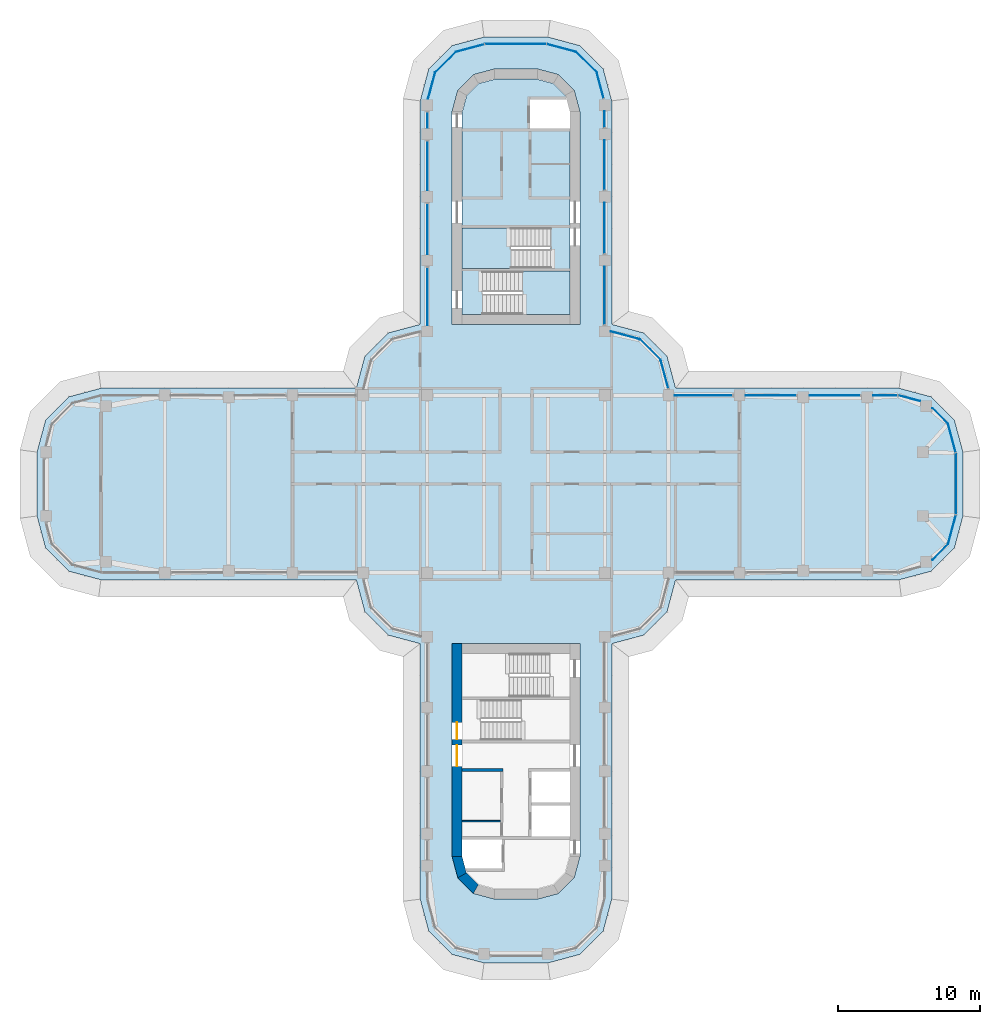
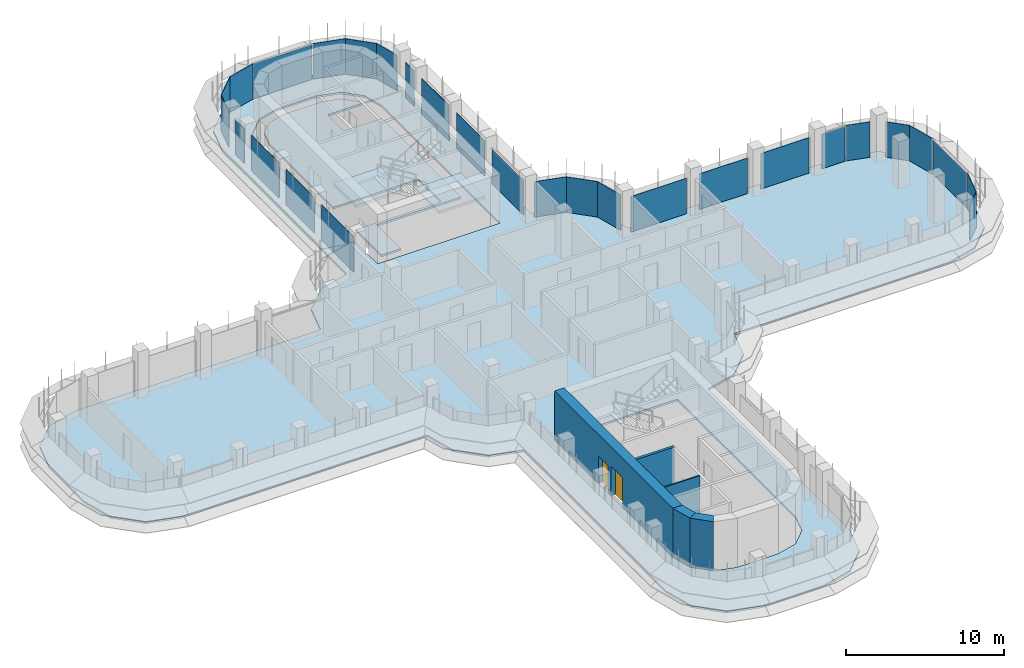
# One storey, part 13 of 20: 28 plates, 5 walls, 4 slabs, 2 doors, 2 openings, 21 elements without a shape of their own.
"""IFC4 building model written with IfcOpenShell, lengths in metres."""

from ifc_helpers import new_model, si_unit, direction, frame, frame_2d, origin, place, context, subcontext, project, spatial, polyline, rectangle, outline, extrude, source, transform, mapped, material, layer, layer_set, type_object, element, fill, aggregate, save


model = new_model("IFC4")

# Units and contexts
model_context = context("Model", 3, precision=1e-05, world=origin(), true_north=direction((0.0, 1.0)))
body_context = subcontext(model_context, "Body", "Model", "MODEL_VIEW")
ifc_project = project(units=[si_unit("LENGTHUNIT", "METRE"), si_unit("AREAUNIT", "SQUARE_METRE"), si_unit("VOLUMEUNIT", "CUBIC_METRE"), si_unit("PLANEANGLEUNIT", "RADIAN"), si_unit("MASSUNIT", "GRAM", prefix="KILO")], contexts=[model_context])

# Site, building, storey
site_placement = place(None, origin())
site = spatial("IfcSite", under=ifc_project, at=site_placement, CompositionType="ELEMENT")
building_placement = place(site_placement, origin())
building = spatial("IfcBuilding", under=site, at=building_placement, Name="Zarbagh Exchange Tower", CompositionType="ELEMENT")
storey_placement = place(building_placement, frame((0.0, 0.0, 148.60009765625)))
storey = spatial("IfcBuildingStorey", under=building, at=storey_placement, Name="L35", CompositionType="ELEMENT", Elevation=148.60009765625)

# Slabs
ifc_material_1 = material(Name="Concrete C40/50", Category="concrete")
ifc_layer_1 = layer(ifc_material_1, 0.14990234375)
ifc_layer_set_1 = layer_set([ifc_layer_1], Name="Composite floor slab 150 C40/50")
slab_type_1 = type_object("IfcSlabType", Name="Composite floor slab 150 C40/50", PredefinedType="FLOOR", material=ifc_layer_set_1)
slab_1_placement = place(storey_placement, frame((0.0, 0.0, -0.150146484375)))
element("IfcSlab", 1, at=slab_1_placement, inside=storey, type_object=slab_type_1, Name="S5 composite floor slab", PredefinedType="FLOOR", context=body_context, shape_type="SweptSolid", body=[
    extrude(outline(polyline([(-2.25, -33.75), (-4.5, -33.147216796875), (-6.147216796875, -31.5), (-6.75, -29.25), (-6.75, -11.25), (-9.0, -10.647216796875), (-10.647216796875, -9.0), (-11.25, -6.75), (-29.25, -6.75), (-31.5, -6.147216796875), (-33.147216796875, -4.5), (-33.75, -2.25), (-33.75, 2.25), (-33.147216796875, 4.5), (-31.5, 6.147216796875), (-29.25, 6.75), (-11.25, 6.75), (-10.647216796875, 9.0), (-9.0, 10.647216796875), (-6.75, 11.25), (-6.75, 27.0), (-6.147216796875, 29.25), (-4.5, 30.897216796875), (-2.25, 31.5), (2.25, 31.5), (4.5, 30.897216796875), (6.147216796875, 29.25), (6.75, 27.0), (6.75, 11.25), (9.0, 10.647216796875), (10.647216796875, 9.0), (11.25, 6.75), (27.0, 6.75), (29.25, 6.147216796875), (30.897216796875, 4.5), (31.5, 2.25), (31.5, -2.25), (30.897216796875, -4.5), (29.25, -6.147216796875), (27.0, -6.75), (11.25, -6.75), (10.647216796875, -9.0), (9.0, -10.647216796875), (6.75, -11.25), (6.75, -29.25), (6.147216796875, -31.5), (4.5, -33.147216796875), (2.25, -33.75), (-2.25, -33.75)]), holes=[polyline([(4.5, 11.25), (4.5, 26.25), (4.09814453125, 27.75), (3.0, 28.84814453125), (1.5, 29.25), (-1.5, 29.25), (-3.0, 28.84814453125), (-4.09814453125, 27.75), (-4.5, 26.25), (-4.5, 11.25), (4.5, 11.25)]), polyline([(-1.5, -29.25), (1.5, -29.25), (3.0, -28.84814453125), (4.09814453125, -27.75), (4.5, -26.25), (4.5, -11.25), (-4.5, -11.25), (-4.5, -26.25), (-4.09814453125, -27.75), (-3.0, -28.84814453125), (-1.5, -29.25)])]), origin(), (0.0, 0.0, 1.0), 0.150146484375),
])
ifc_layer_2 = layer(ifc_material_1, 0.14990234375)
ifc_layer_set_2 = layer_set([ifc_layer_2], Name="Core floor slab 150 C40/50")
slab_type_2 = type_object("IfcSlabType", Name="Core floor slab 150 C40/50", PredefinedType="FLOOR", material=ifc_layer_set_2)
slab_2_placement = place(storey_placement, frame((0.0, 0.0, -0.150146484375)))
element("IfcSlab", 2, at=slab_2_placement, inside=storey, type_object=slab_type_2, Name="S17 core N", PredefinedType="FLOOR", context=body_context, shape_type="SweptSolid", body=[
    extrude(outline(polyline([(-3.800048828125, 11.949951171875), (-3.800048828125, 15.199951171875), (2.449951171875, 15.199951171875), (2.449951171875, 18.050048828125), (-3.800048828125, 18.050048828125), (-3.800048828125, 26.15771484375), (-3.470458984375, 27.3876953125), (-2.6376953125, 28.220458984375), (-1.40771484375, 28.550048828125), (1.40771484375, 28.550048828125), (2.6376953125, 28.220458984375), (3.470458984375, 27.3876953125), (3.800048828125, 26.15771484375), (3.800048828125, 26.15771484375), (3.547607421875, 27.10009765625), (1.0, 27.10009765625), (1.0, 25.050048828125), (3.800048828125, 25.050048828125), (3.800048828125, 15.0), (-2.35009765625, 15.0), (-2.35009765625, 11.949951171875), (-3.800048828125, 11.949951171875)])), origin(), (0.0, 0.0, 1.0), 0.150146484375),
])

# Stair, slab
stair_type = type_object("IfcStairType", Name="Exit stair two-flight half-turn", PredefinedType="HALF_TURN_STAIR", material=ifc_material_1)
stair_1_placement = place(storey_placement, origin())
stair_1 = element("IfcStair", 3, at=stair_1_placement, inside=storey, type_object=stair_type, Name="exit stair ST1", PredefinedType="HALF_TURN_STAIR")
ifc_layer_3 = layer(ifc_material_1, 0.199951171875)
ifc_layer_set_3 = layer_set([ifc_layer_3], Name="Stair landing 200 mm")
slab_type_3 = type_object("IfcSlabType", Name="Stair landing 200 mm", PredefinedType="LANDING", material=ifc_layer_set_3)
slab_3_placement = place(storey_placement, frame((0.0, 0.0, 1.699951171875)))
slab_3 = element("IfcSlab", 4, at=slab_3_placement, type_object=slab_type_3, Name="ST1 landing 1", PredefinedType="LANDING", context=body_context, shape_type="SweptSolid", body=[
    extrude(outline(polyline([(-0.35009765625, 18.050048828125), (-3.800048828125, 18.050048828125), (-3.800048828125, 15.199951171875), (-0.35009765625, 15.199951171875), (-0.35009765625, 18.050048828125)])), origin(), (0.0, 0.0, 1.0), 0.199951171875),
])
aggregate(stair_1, [slab_3])

stair_2_placement = place(storey_placement, origin())
stair_2 = element("IfcStair", 5, at=stair_2_placement, inside=storey, type_object=stair_type, Name="exit stair ST2", PredefinedType="HALF_TURN_STAIR")
slab_4_placement = place(storey_placement, frame((0.0, 0.0, 1.699951171875)))
slab_4 = element("IfcSlab", 6, at=slab_4_placement, type_object=slab_type_3, Name="ST2 landing 1", PredefinedType="LANDING", context=body_context, shape_type="SweptSolid", body=[
    extrude(outline(polyline([(0.449951171875, 11.949951171875), (3.800048828125, 11.949951171875), (3.800048828125, 15.0), (0.449951171875, 15.0), (0.449951171875, 11.949951171875)])), origin(), (0.0, 0.0, 1.0), 0.199951171875),
])
aggregate(stair_2, [slab_4])

# Curtain wall, plate
ifc_material_2 = material(Name="Anodised aluminium frame and glazing", Category="aluminium")
curtain_wall_type = type_object("IfcCurtainWallType", Name="CWB Ribbon glazing, upper zones", PredefinedType="NOTDEFINED", material=ifc_material_2)
curtain_wall_1_placement = place(storey_placement, origin())
curtain_wall_1 = element("IfcCurtainWall", 7, at=curtain_wall_1_placement, inside=storey, type_object=curtain_wall_type, Name="CWB18 curtain wall", PredefinedType="NOTDEFINED")
ifc_material_3 = material(Name="Low-e double glazed unit, 6+12+6 mm")
ifc_layer_4 = layer(ifc_material_3, 0.031982421875)
ifc_layer_set_4 = layer_set([ifc_layer_4], Name="PAB Glazing panel, Low-e double glazed unit, 6+12+6 mm")
plate_type = type_object("IfcPlateType", Name="PAB Glazing panel, Low-e double glazed unit, 6+12+6 mm", PredefinedType="CURTAIN_PANEL", material=ifc_layer_set_4)
shared_shape_1 = source(origin(), body_context, "Body", "SweptSolid", [
    extrude(outline(polyline([(0.0, -0.01611328125), (2.061279296875, -0.01611328125), (2.061279296875, 0.01611328125), (0.0, 0.01611328125), (0.0, -0.01611328125)])), origin(), (0.0, 0.0, 1.0), 2.75),
])
placement = place(storey_placement, origin())
plate_1 = element("IfcPlate", 8, at=placement, type_object=plate_type, Name="CWB18 glazing panel 1.1", PredefinedType="CURTAIN_PANEL", context=body_context, shape_type="MappedRepresentation", body=[
    mapped(shared_shape_1, transform((10.19873046875, 8.7412109375, 0.0), x_axis=(-0.707106781187, 0.707106781187, 0.0), y_axis=(-0.707106781187, -0.707106781187, 0.0), z_axis=(0.0, 0.0, 1.0))),
])
aggregate(curtain_wall_1, [plate_1])

curtain_wall_2_placement = place(storey_placement, origin())
curtain_wall_2 = element("IfcCurtainWall", 9, at=curtain_wall_2_placement, inside=storey, type_object=curtain_wall_type, Name="CWB22 curtain wall", PredefinedType="NOTDEFINED")
plate_2 = element("IfcPlate", 10, at=placement, type_object=plate_type, Name="CWB22 glazing panel 1.1", PredefinedType="CURTAIN_PANEL", context=body_context, shape_type="MappedRepresentation", body=[
    mapped(shared_shape_1, transform((5.69873046875, 28.9912109375, 0.0), x_axis=(-0.707106781187, 0.707106781187, 0.0), y_axis=(-0.707106781187, -0.707106781187, 0.0), z_axis=(0.0, 0.0, 1.0))),
])
aggregate(curtain_wall_2, [plate_2])

curtain_wall_3_placement = place(storey_placement, origin())
curtain_wall_3 = element("IfcCurtainWall", 11, at=curtain_wall_3_placement, inside=storey, type_object=curtain_wall_type, Name="CWB26 curtain wall", PredefinedType="NOTDEFINED")
plate_3 = element("IfcPlate", 12, at=placement, type_object=plate_type, Name="CWB26 glazing panel 1.1", PredefinedType="CURTAIN_PANEL", context=body_context, shape_type="MappedRepresentation", body=[
    mapped(shared_shape_1, transform((-4.2412109375, 30.44873046875, 0.0), x_axis=(-0.707106781187, -0.707106781187, 0.0), y_axis=(0.707106781187, -0.707106781187, 0.0), z_axis=(0.0, 0.0, 1.0))),
])
aggregate(curtain_wall_3, [plate_3])

curtain_wall_4_placement = place(storey_placement, origin())
curtain_wall_4 = element("IfcCurtainWall", 13, at=curtain_wall_4_placement, inside=storey, type_object=curtain_wall_type, Name="CWB11 curtain wall", PredefinedType="NOTDEFINED")
shared_shape_2 = source(origin(), body_context, "Body", "SweptSolid", [
    extrude(outline(polyline([(0.0, -0.01611328125), (2.129638671875, -0.01611328125), (2.129638671875, 0.01611328125), (0.0, 0.01611328125), (0.0, -0.01611328125)])), origin(), (0.0, 0.0, 1.0), 2.75),
])
plate_4 = element("IfcPlate", 14, at=placement, type_object=plate_type, Name="CWB11 glazing panel 1.1", PredefinedType="CURTAIN_PANEL", context=body_context, shape_type="MappedRepresentation", body=[
    mapped(shared_shape_2, transform((30.44873046875, -4.2412109375, 0.0), x_axis=(0.258824779902, 0.965924289636, 0.0), y_axis=(-0.965924289636, 0.258824779902, 0.0), z_axis=(0.0, 0.0, 1.0))),
])
aggregate(curtain_wall_4, [plate_4])

curtain_wall_5_placement = place(storey_placement, origin())
curtain_wall_5 = element("IfcCurtainWall", 15, at=curtain_wall_5_placement, inside=storey, type_object=curtain_wall_type, Name="CWB23 curtain wall", PredefinedType="NOTDEFINED")
plate_5 = element("IfcPlate", 16, at=placement, type_object=plate_type, Name="CWB23 glazing panel 1.1", PredefinedType="CURTAIN_PANEL", context=body_context, shape_type="MappedRepresentation", body=[
    mapped(shared_shape_2, transform((4.2412109375, 30.44873046875, 0.0), x_axis=(-0.965924289636, 0.258824779902, 0.0), y_axis=(-0.258824779902, -0.965924289636, 0.0), z_axis=(0.0, 0.0, 1.0))),
])
aggregate(curtain_wall_5, [plate_5])

curtain_wall_6_placement = place(storey_placement, origin())
curtain_wall_6 = element("IfcCurtainWall", 17, at=curtain_wall_6_placement, inside=storey, type_object=curtain_wall_type, Name="CWB20 curtain wall", PredefinedType="NOTDEFINED")
shared_shape_3 = source(origin(), body_context, "Body", "SweptSolid", [
    extrude(outline(polyline([(0.0, -0.01611328125), (3.4599609375, -0.01611328125), (3.4599609375, 0.01611328125), (0.0, 0.01611328125), (0.0, -0.01611328125)])), origin(), (0.0, 0.0, 1.0), 2.75),
])
plate_6 = element("IfcPlate", 18, at=placement, type_object=plate_type, Name="CWB20 glazing panel 3.1", PredefinedType="CURTAIN_PANEL", context=body_context, shape_type="MappedRepresentation", body=[
    mapped(shared_shape_3, transform((6.25, 20.75, 0.0), x_axis=(0.0, 1.0, 0.0), y_axis=(-1.0, 0.0, 0.0), z_axis=(0.0, 0.0, 1.0))),
])

curtain_wall_7_placement = place(storey_placement, origin())
curtain_wall_7 = element("IfcCurtainWall", 19, at=curtain_wall_7_placement, inside=storey, type_object=curtain_wall_type, Name="CWB28 curtain wall", PredefinedType="NOTDEFINED")
plate_7 = element("IfcPlate", 20, at=placement, type_object=plate_type, Name="CWB28 glazing panel 2.1", PredefinedType="CURTAIN_PANEL", context=body_context, shape_type="MappedRepresentation", body=[
    mapped(shared_shape_3, transform((-6.25, 24.14990234375, 0.0), x_axis=(0.0, -1.0, 0.0), y_axis=(1.0, 0.0, 0.0), z_axis=(0.0, 0.0, 1.0))),
])

# Curtain wall, plates
curtain_wall_8_placement = place(storey_placement, origin())
curtain_wall_8 = element("IfcCurtainWall", 21, at=curtain_wall_8_placement, inside=storey, type_object=curtain_wall_type, Name="CWB16 curtain wall", PredefinedType="NOTDEFINED")
shared_shape_4 = source(origin(), body_context, "Body", "SweptSolid", [
    extrude(outline(polyline([(0.0, -0.01611328125), (3.56005859375, -0.01611328125), (3.56005859375, 0.01611328125), (0.0, 0.01611328125), (0.0, -0.01611328125)])), origin(), (0.0, 0.0, 1.0), 2.75),
])
plate_8 = element("IfcPlate", 22, at=placement, type_object=plate_type, Name="CWB16 glazing panel 2.1", PredefinedType="CURTAIN_PANEL", context=body_context, shape_type="MappedRepresentation", body=[
    mapped(shared_shape_4, transform((24.25, 6.25, 0.0), x_axis=(-1.0, 0.0, 0.0), y_axis=(0.0, -1.0, 0.0), z_axis=(0.0, 0.0, 1.0))),
])
plate_9 = element("IfcPlate", 23, at=placement, type_object=plate_type, Name="CWB16 glazing panel 3.1", PredefinedType="CURTAIN_PANEL", context=body_context, shape_type="MappedRepresentation", body=[
    mapped(shared_shape_4, transform((19.75, 6.25, 0.0), x_axis=(-1.0, 0.0, 0.0), y_axis=(0.0, -1.0, 0.0), z_axis=(0.0, 0.0, 1.0))),
])

# Plate
plate_10 = element("IfcPlate", 24, at=placement, type_object=plate_type, Name="CWB20 glazing panel 2.1", PredefinedType="CURTAIN_PANEL", context=body_context, shape_type="MappedRepresentation", body=[
    mapped(shared_shape_4, transform((6.25, 16.25, 0.0), x_axis=(0.0, 1.0, 0.0), y_axis=(-1.0, 0.0, 0.0), z_axis=(0.0, 0.0, 1.0))),
])

plate_11 = element("IfcPlate", 25, at=placement, type_object=plate_type, Name="CWB28 glazing panel 3.1", PredefinedType="CURTAIN_PANEL", context=body_context, shape_type="MappedRepresentation", body=[
    mapped(shared_shape_4, transform((-6.25, 19.75, 0.0), x_axis=(0.0, -1.0, 0.0), y_axis=(1.0, 0.0, 0.0), z_axis=(0.0, 0.0, 1.0))),
])

shared_shape_5 = source(origin(), body_context, "Body", "SweptSolid", [
    extrude(outline(polyline([(0.0, -0.01611328125), (4.06005859375, -0.01611328125), (4.06005859375, 0.01611328125), (0.0, 0.01611328125), (0.0, -0.01611328125)])), origin(), (0.0, 0.0, 1.0), 2.75),
])
plate_12 = element("IfcPlate", 26, at=placement, type_object=plate_type, Name="CWB16 glazing panel 4.1", PredefinedType="CURTAIN_PANEL", context=body_context, shape_type="MappedRepresentation", body=[
    mapped(shared_shape_5, transform((15.25, 6.25, 0.0), x_axis=(-1.0, 0.0, 0.0), y_axis=(0.0, -1.0, 0.0), z_axis=(0.0, 0.0, 1.0))),
])

plate_13 = element("IfcPlate", 27, at=placement, type_object=plate_type, Name="CWB28 glazing panel 4.1", PredefinedType="CURTAIN_PANEL", context=body_context, shape_type="MappedRepresentation", body=[
    mapped(shared_shape_5, transform((-6.25, 15.25, 0.0), x_axis=(0.0, -1.0, 0.0), y_axis=(1.0, 0.0, 0.0), z_axis=(0.0, 0.0, 1.0))),
])

# Curtain wall, plate
curtain_wall_9_placement = place(storey_placement, origin())
curtain_wall_9 = element("IfcCurtainWall", 28, at=curtain_wall_9_placement, inside=storey, type_object=curtain_wall_type, Name="CWB17 curtain wall", PredefinedType="NOTDEFINED")
shared_shape_6 = source(origin(), body_context, "Body", "SweptSolid", [
    extrude(outline(polyline([(0.0, -0.01611328125), (2.063720703125, -0.01611328125), (2.063720703125, 0.01611328125), (0.0, 0.01611328125), (0.0, -0.01611328125)])), origin(), (0.0, 0.0, 1.0), 2.75),
])
plate_14 = element("IfcPlate", 29, at=placement, type_object=plate_type, Name="CWB17 glazing panel 1.1", PredefinedType="CURTAIN_PANEL", context=body_context, shape_type="MappedRepresentation", body=[
    mapped(shared_shape_6, transform((10.73291015625, 6.748046875, 0.0), x_axis=(-0.258824779902, 0.965924289636, 0.0), y_axis=(-0.965924289636, -0.258824779902, 0.0), z_axis=(0.0, 0.0, 1.0))),
])
aggregate(curtain_wall_9, [plate_14])

curtain_wall_10_placement = place(storey_placement, origin())
curtain_wall_10 = element("IfcCurtainWall", 30, at=curtain_wall_10_placement, inside=storey, type_object=curtain_wall_type, Name="CWB19 curtain wall", PredefinedType="NOTDEFINED")
shared_shape_7 = source(origin(), body_context, "Body", "SweptSolid", [
    extrude(outline(polyline([(0.0, -0.01611328125), (2.12353515625, -0.01611328125), (2.12353515625, 0.01611328125), (0.0, 0.01611328125), (0.0, -0.01611328125)])), origin(), (0.0, 0.0, 1.0), 2.75),
])
plate_15 = element("IfcPlate", 31, at=placement, type_object=plate_type, Name="CWB19 glazing panel 1.1", PredefinedType="CURTAIN_PANEL", context=body_context, shape_type="MappedRepresentation", body=[
    mapped(shared_shape_7, transform((8.7412109375, 10.19873046875, 0.0), x_axis=(-0.965924289636, 0.258824779902, 0.0), y_axis=(-0.258824779902, -0.965924289636, 0.0), z_axis=(0.0, 0.0, 1.0))),
])
aggregate(curtain_wall_10, [plate_15])

# Plate
shared_shape_8 = source(origin(), body_context, "Body", "SweptSolid", [
    extrude(outline(polyline([(0.0, -0.01611328125), (4.06005859375, -0.01611328125), (4.06005859375, 0.01611328125), (0.0, 0.01611328125), (0.0, -0.01611328125)])), origin(), (0.0, 0.0, 1.0), 2.68994140625),
])
plate_16 = element("IfcPlate", 32, at=placement, type_object=plate_type, Name="CWB20 glazing panel 1.1", PredefinedType="CURTAIN_PANEL", context=body_context, shape_type="MappedRepresentation", body=[
    mapped(shared_shape_8, transform((6.25, 11.25, 0.0), x_axis=(0.0, 1.0, 0.0), y_axis=(-1.0, 0.0, 0.0), z_axis=(0.0, 0.0, 1.0))),
])

# Curtain wall, plate
curtain_wall_11_placement = place(storey_placement, origin())
curtain_wall_11 = element("IfcCurtainWall", 33, at=curtain_wall_11_placement, inside=storey, type_object=curtain_wall_type, Name="CWB10 curtain wall", PredefinedType="NOTDEFINED")
shared_shape_9 = source(origin(), body_context, "Body", "SweptSolid", [
    extrude(outline(polyline([(0.0, -0.01611328125), (1.556884765625, -0.01611328125), (1.556884765625, 0.01611328125), (0.0, 0.01611328125), (0.0, -0.01611328125)])), origin(), (0.0, 0.0, 1.0), 2.75),
])
plate_17 = element("IfcPlate", 34, at=placement, type_object=plate_type, Name="CWB10 glazing panel 1.1", PredefinedType="CURTAIN_PANEL", context=body_context, shape_type="MappedRepresentation", body=[
    mapped(shared_shape_9, transform((29.347900390625, -5.342041015625, 0.0), x_axis=(0.707106781187, 0.707106781187, 0.0), y_axis=(-0.707106781187, 0.707106781187, 0.0), z_axis=(0.0, 0.0, 1.0))),
])
aggregate(curtain_wall_11, [plate_17])

curtain_wall_12_placement = place(storey_placement, origin())
curtain_wall_12 = element("IfcCurtainWall", 35, at=curtain_wall_12_placement, inside=storey, type_object=curtain_wall_type, Name="CWB14 curtain wall", PredefinedType="NOTDEFINED")
plate_18 = element("IfcPlate", 36, at=placement, type_object=plate_type, Name="CWB14 glazing panel 1.1", PredefinedType="CURTAIN_PANEL", context=body_context, shape_type="MappedRepresentation", body=[
    mapped(shared_shape_9, transform((30.44873046875, 4.2412109375, 0.0), x_axis=(-0.707106781187, 0.707106781187, 0.0), y_axis=(-0.707106781187, -0.707106781187, 0.0), z_axis=(0.0, 0.0, 1.0))),
])
aggregate(curtain_wall_12, [plate_18])

curtain_wall_13_placement = place(storey_placement, origin())
curtain_wall_13 = element("IfcCurtainWall", 37, at=curtain_wall_13_placement, inside=storey, type_object=curtain_wall_type, Name="CWB12 curtain wall", PredefinedType="NOTDEFINED")
shared_shape_10 = source(origin(), body_context, "Body", "SweptSolid", [
    extrude(outline(polyline([(0.0, -0.01611328125), (4.308349609375, -0.01611328125), (4.308349609375, 0.01611328125), (0.0, 0.01611328125), (0.0, -0.01611328125)])), origin(), (0.0, 0.0, 1.0), 2.68994140625),
])
plate_19 = element("IfcPlate", 38, at=placement, type_object=plate_type, Name="CWB12 glazing panel 1.1", PredefinedType="CURTAIN_PANEL", context=body_context, shape_type="MappedRepresentation", body=[
    mapped(shared_shape_10, transform((31.0, -2.124267578125, 0.0), x_axis=(0.0, 1.0, 0.0), y_axis=(-1.0, 0.0, 0.0), z_axis=(0.0, 0.0, 1.0))),
])
aggregate(curtain_wall_13, [plate_19])

curtain_wall_14_placement = place(storey_placement, origin())
curtain_wall_14 = element("IfcCurtainWall", 39, at=curtain_wall_14_placement, inside=storey, type_object=curtain_wall_type, Name="CWB24 curtain wall", PredefinedType="NOTDEFINED")
plate_20 = element("IfcPlate", 40, at=placement, type_object=plate_type, Name="CWB24 glazing panel 1.1", PredefinedType="CURTAIN_PANEL", context=body_context, shape_type="MappedRepresentation", body=[
    mapped(shared_shape_10, transform((2.124267578125, 31.0, 0.0), x_axis=(-1.0, 0.0, 0.0), y_axis=(0.0, -1.0, 0.0), z_axis=(0.0, 0.0, 1.0))),
])
aggregate(curtain_wall_14, [plate_20])

curtain_wall_15_placement = place(storey_placement, origin())
curtain_wall_15 = element("IfcCurtainWall", 41, at=curtain_wall_15_placement, inside=storey, type_object=curtain_wall_type, Name="CWB13 curtain wall", PredefinedType="NOTDEFINED")
shared_shape_11 = source(origin(), body_context, "Body", "SweptSolid", [
    extrude(outline(polyline([(0.0, -0.01611328125), (2.069580078125, -0.01611328125), (2.069580078125, 0.01611328125), (0.0, 0.01611328125), (0.0, -0.01611328125)])), origin(), (0.0, 0.0, 1.0), 2.75),
])
plate_21 = element("IfcPlate", 42, at=placement, type_object=plate_type, Name="CWB13 glazing panel 1.1", PredefinedType="CURTAIN_PANEL", context=body_context, shape_type="MappedRepresentation", body=[
    mapped(shared_shape_11, transform((30.984375, 2.2421875, 0.0), x_axis=(-0.258824779902, 0.965924289636, 0.0), y_axis=(-0.965924289636, -0.258824779902, 0.0), z_axis=(0.0, 0.0, 1.0))),
])
aggregate(curtain_wall_15, [plate_21])

curtain_wall_16_placement = place(storey_placement, origin())
curtain_wall_16 = element("IfcCurtainWall", 43, at=curtain_wall_16_placement, inside=storey, type_object=curtain_wall_type, Name="CWB25 curtain wall", PredefinedType="NOTDEFINED")
plate_22 = element("IfcPlate", 44, at=placement, type_object=plate_type, Name="CWB25 glazing panel 1.1", PredefinedType="CURTAIN_PANEL", context=body_context, shape_type="MappedRepresentation", body=[
    mapped(shared_shape_11, transform((-2.2421875, 30.984375, 0.0), x_axis=(-0.965924289636, -0.258824779902, 0.0), y_axis=(0.258824779902, -0.965924289636, 0.0), z_axis=(0.0, 0.0, 1.0))),
])
aggregate(curtain_wall_16, [plate_22])

curtain_wall_17_placement = place(storey_placement, origin())
curtain_wall_17 = element("IfcCurtainWall", 45, at=curtain_wall_17_placement, inside=storey, type_object=curtain_wall_type, Name="CWB15 curtain wall", PredefinedType="NOTDEFINED")
shared_shape_12 = source(origin(), body_context, "Body", "SweptSolid", [
    extrude(outline(polyline([(0.0, -0.01611328125), (1.587890625, -0.01611328125), (1.587890625, 0.01611328125), (0.0, 0.01611328125), (0.0, -0.01611328125)])), origin(), (0.0, 0.0, 1.0), 2.75),
])
plate_23 = element("IfcPlate", 46, at=placement, type_object=plate_type, Name="CWB15 glazing panel 1.1", PredefinedType="CURTAIN_PANEL", context=body_context, shape_type="MappedRepresentation", body=[
    mapped(shared_shape_12, transform((28.468017578125, 5.839111328125, 0.0), x_axis=(-0.965924289636, 0.258824779902, 0.0), y_axis=(-0.258824779902, -0.965924289636, 0.0), z_axis=(0.0, 0.0, 1.0))),
])
aggregate(curtain_wall_17, [plate_23])

# Plate
shared_shape_13 = source(origin(), body_context, "Body", "SweptSolid", [
    extrude(outline(polyline([(0.0, -0.01611328125), (1.68408203125, -0.01611328125), (1.68408203125, 0.01611328125), (0.0, 0.01611328125), (0.0, -0.01611328125)])), origin(), (0.0, 0.0, 1.0), 2.68994140625),
])
plate_24 = element("IfcPlate", 47, at=placement, type_object=plate_type, Name="CWB16 glazing panel 1.1", PredefinedType="CURTAIN_PANEL", context=body_context, shape_type="MappedRepresentation", body=[
    mapped(shared_shape_13, transform((26.874267578125, 6.25, 0.0), x_axis=(-1.0, 0.0, 0.0), y_axis=(0.0, -1.0, 0.0), z_axis=(0.0, 0.0, 1.0))),
])

aggregate(curtain_wall_8, [plate_24, plate_8, plate_9, plate_12])

shared_shape_14 = source(origin(), body_context, "Body", "SweptSolid", [
    extrude(outline(polyline([(0.0, -0.01611328125), (1.110107421875, -0.01611328125), (1.110107421875, 0.01611328125), (0.0, 0.01611328125), (0.0, -0.01611328125)])), origin(), (0.0, 0.0, 1.0), 2.75),
])
plate_25 = element("IfcPlate", 48, at=placement, type_object=plate_type, Name="CWB20 glazing panel 4.1", PredefinedType="CURTAIN_PANEL", context=body_context, shape_type="MappedRepresentation", body=[
    mapped(shared_shape_14, transform((6.25, 25.150146484375, 0.0), x_axis=(0.0, 1.0, 0.0), y_axis=(-1.0, 0.0, 0.0), z_axis=(0.0, 0.0, 1.0))),
])

aggregate(curtain_wall_6, [plate_16, plate_10, plate_6, plate_25])

# Curtain wall, plate
curtain_wall_18_placement = place(storey_placement, origin())
curtain_wall_18 = element("IfcCurtainWall", 49, at=curtain_wall_18_placement, inside=storey, type_object=curtain_wall_type, Name="CWB21 curtain wall", PredefinedType="NOTDEFINED")
shared_shape_15 = source(origin(), body_context, "Body", "SweptSolid", [
    extrude(outline(polyline([(0.0, -0.01611328125), (1.8564453125, -0.01611328125), (1.8564453125, 0.01611328125), (0.0, 0.01611328125), (0.0, -0.01611328125)])), origin(), (0.0, 0.0, 1.0), 2.75),
])
plate_26 = element("IfcPlate", 50, at=placement, type_object=plate_type, Name="CWB21 glazing panel 1.1", PredefinedType="CURTAIN_PANEL", context=body_context, shape_type="MappedRepresentation", body=[
    mapped(shared_shape_15, transform((6.17919921875, 27.197998046875, 0.0), x_axis=(-0.258824779902, 0.965924289636, 0.0), y_axis=(-0.965924289636, -0.258824779902, 0.0), z_axis=(0.0, 0.0, 1.0))),
])
aggregate(curtain_wall_18, [plate_26])

curtain_wall_19_placement = place(storey_placement, origin())
curtain_wall_19 = element("IfcCurtainWall", 51, at=curtain_wall_19_placement, inside=storey, type_object=curtain_wall_type, Name="CWB27 curtain wall", PredefinedType="NOTDEFINED")
shared_shape_16 = source(origin(), body_context, "Body", "SweptSolid", [
    extrude(outline(polyline([(0.0, -0.01611328125), (1.91650390625, -0.01611328125), (1.91650390625, 0.01611328125), (0.0, 0.01611328125), (0.0, -0.01611328125)])), origin(), (0.0, 0.0, 1.0), 2.75),
])
plate_27 = element("IfcPlate", 52, at=placement, type_object=plate_type, Name="CWB27 glazing panel 1.1", PredefinedType="CURTAIN_PANEL", context=body_context, shape_type="MappedRepresentation", body=[
    mapped(shared_shape_16, transform((-5.69873046875, 28.9912109375, 0.0), x_axis=(-0.258824779902, -0.965924289636, 0.0), y_axis=(0.965924289636, -0.258824779902, 0.0), z_axis=(0.0, 0.0, 1.0))),
])
aggregate(curtain_wall_19, [plate_27])

# Plate
shared_shape_17 = source(origin(), body_context, "Body", "SweptSolid", [
    extrude(outline(polyline([(0.0, -0.01611328125), (1.110107421875, -0.01611328125), (1.110107421875, 0.01611328125), (0.0, 0.01611328125), (0.0, -0.01611328125)])), origin(), (0.0, 0.0, 1.0), 2.68994140625),
])
plate_28 = element("IfcPlate", 53, at=placement, type_object=plate_type, Name="CWB28 glazing panel 1.1", PredefinedType="CURTAIN_PANEL", context=body_context, shape_type="MappedRepresentation", body=[
    mapped(shared_shape_17, transform((-6.25, 26.199951171875, 0.0), x_axis=(0.0, -1.0, 0.0), y_axis=(1.0, 0.0, 0.0), z_axis=(0.0, 0.0, 1.0))),
])

aggregate(curtain_wall_7, [plate_28, plate_7, plate_11, plate_13])

# Walls
ifc_material_4 = material(Name="Dense blockwork", Category="masonry")
ifc_layer_5 = layer(ifc_material_4, 0.10009765625)
ifc_layer_set_5 = layer_set([ifc_layer_5], Name="Core partition 100 mm blockwork")
wall_type_1 = type_object("IfcWallType", Name="Core partition 100 mm blockwork", PredefinedType="PARTITIONING", material=ifc_layer_set_5)
wall_1_placement = place(storey_placement, frame((-1.10009765625, -23.75, 0.0), z_axis=(0.0, 0.0, 1.0), x_axis=(-1.0, 0.0, 0.0)))
element("IfcWall", 54, at=wall_1_placement, inside=storey, type_object=wall_type_1, Name="South core partition wall CUT-E-460", PredefinedType="PARTITIONING", context=body_context, shape_type="SweptSolid", body=[
    extrude(rectangle(XDim=2.699951171875, YDim=0.10009765625, at=frame_2d((1.35009765625, 0.0))), origin(), (0.0, 0.0, 1.0), 3.64990234375),
])
ifc_material_5 = material(Name="Concrete C50/60", Category="concrete")
ifc_layer_6 = layer(ifc_material_5, 0.699951171875)
ifc_layer_set_6 = layer_set([ifc_layer_6], Name="RC core corner wall 700 C50/60")
wall_type_2 = type_object("IfcWallType", Name="RC core corner wall 700 C50/60", PredefinedType="SHEAR", material=ifc_layer_set_6)
wall_2_placement = place(storey_placement, origin())
element("IfcWall", 55, at=wall_2_placement, inside=storey, type_object=wall_type_2, Name="CW6 core S corner W", PredefinedType="SHEAR", context=body_context, shape_type="SweptSolid", body=[
    extrude(outline(polyline([(-4.5, -26.25), (-4.09814453125, -27.75), (-3.491943359375, -27.39990234375), (-3.800048828125, -26.25), (-4.5, -26.25)])), origin(), (0.0, 0.0, 1.0), 3.7998046875),
])
wall_3_placement = place(storey_placement, origin())
element("IfcWall", 56, at=wall_3_placement, inside=storey, type_object=wall_type_2, Name="CW6 core S corner W", PredefinedType="SHEAR", context=body_context, shape_type="SweptSolid", body=[
    extrude(outline(polyline([(-4.09814453125, -27.75), (-3.0, -28.84814453125), (-2.64990234375, -28.241943359375), (-3.491943359375, -27.39990234375), (-4.09814453125, -27.75)])), origin(), (0.0, 0.0, 1.0), 3.7998046875),
])

# Wall, openings, doors
ifc_layer_7 = layer(ifc_material_5, 0.699951171875)
ifc_layer_set_7 = layer_set([ifc_layer_7], Name="RC core wall 700 C50/60")
wall_type_3 = type_object("IfcWallType", Name="RC core wall 700 C50/60", PredefinedType="SHEAR", material=ifc_layer_set_7)
wall_4_placement = place(storey_placement, frame((-4.14990234375, -11.25, 0.0), z_axis=(0.0, 0.0, 1.0), x_axis=(0.0, -1.0, 0.0)))
wall_4 = element("IfcWall", 57, at=wall_4_placement, inside=storey, type_object=wall_type_3, Name="CW5 core S W", PredefinedType="SHEAR", context=body_context, shape_type="SweptSolid", body=[
    extrude(rectangle(XDim=15.0, YDim=0.699951171875, at=frame_2d((7.5, 0.0))), origin(), (0.0, 0.0, 1.0), 3.7998046875),
])
opening_1_placement = place(wall_4_placement, frame((7.14990234375, 0.0, 0.0)))
opening_1 = element("IfcOpeningElement", 58, at=opening_1_placement, cuts=wall_4, Name="Opening CD1-1500", PredefinedType="OPENING", context=body_context, shape_type="SweptSolid", body=[
    extrude(rectangle(XDim=1.5, YDim=2.300048828125, at=frame_2d((0.75, 1.14990234375))), frame((0.0, 0.35986328125, 0.0), z_axis=(0.0, -1.0, 0.0), x_axis=(1.0, 0.0, 0.0)), (0.0, 0.0, 1.0), 0.719970703125),
])
opening_2_placement = place(wall_4_placement, frame((5.550048828125, 0.0, 0.0)))
opening_2 = element("IfcOpeningElement", 59, at=opening_2_placement, cuts=wall_4, Name="Opening SD1-1200", PredefinedType="OPENING", context=body_context, shape_type="SweptSolid", body=[
    extrude(rectangle(XDim=1.199951171875, YDim=2.10009765625, at=frame_2d((0.60009765625, 1.050048828125))), frame((0.0, 0.35986328125, 0.0), z_axis=(0.0, -1.0, 0.0), x_axis=(1.0, 0.0, 0.0)), (0.0, 0.0, 1.0), 0.719970703125),
])
ifc_material_6 = material(Name="Steel", Category="steel")
door_type_1 = type_object("IfcDoorType", Name="Exit stair door 1200 x 2100", OperationType="NOTDEFINED", PredefinedType="DOOR", material=ifc_material_6)
door_1_placement = place(opening_2_placement, origin())
door_1 = element("IfcDoor", 60, at=door_1_placement, inside=storey, type_object=door_type_1, Name="South core stair door ST1", OperationType="SINGLE_SWING_LEFT", OverallHeight=2.10009765625, OverallWidth=1.199951171875, PredefinedType="DOOR", context=body_context, shape_type="SweptSolid", body=[
    extrude(rectangle(XDim=1.199951171875, YDim=2.10009765625, at=frame_2d((0.60009765625, 1.050048828125))), frame((0.0, 0.02490234375, 0.0), z_axis=(0.0, -1.0, 0.0), x_axis=(1.0, 0.0, 0.0)), (0.0, 0.0, 1.0), 0.050048828125),
])
fill(opening_2, door_1)
door_type_2 = type_object("IfcDoorType", Name="Lift lobby double door 1500 x 2300", OperationType="NOTDEFINED", PredefinedType="DOOR", material=ifc_material_6)
door_2_placement = place(opening_1_placement, origin())
door_2 = element("IfcDoor", 61, at=door_2_placement, inside=storey, type_object=door_type_2, Name="South core lift lobby door LOBBY-E", OperationType="DOUBLE_DOOR_SINGLE_SWING", OverallHeight=2.300048828125, OverallWidth=1.5, PredefinedType="DOOR", context=body_context, shape_type="SweptSolid", body=[
    extrude(rectangle(XDim=1.5, YDim=2.300048828125, at=frame_2d((0.75, 1.14990234375))), frame((0.0, 0.02490234375, 0.0), z_axis=(0.0, -1.0, 0.0), x_axis=(1.0, 0.0, 0.0)), (0.0, 0.0, 1.0), 0.050048828125),
])
fill(opening_1, door_2)

# Wall
ifc_layer_8 = layer(ifc_material_4, 0.199951171875)
ifc_layer_set_8 = layer_set([ifc_layer_8], Name="Shaft wall 200 mm blockwork")
wall_type_4 = type_object("IfcWallType", Name="Shaft wall 200 mm blockwork", PredefinedType="PARTITIONING", material=ifc_layer_set_8)
wall_5_placement = place(storey_placement, frame((-0.89990234375, -20.14990234375, 0.0), z_axis=(0.0, 0.0, 1.0), x_axis=(-1.0, 0.0, 0.0)))
element("IfcWall", 62, at=wall_5_placement, inside=storey, type_object=wall_type_4, Name="South core shaft wall AB-E", PredefinedType="PARTITIONING", context=body_context, shape_type="SweptSolid", body=[
    extrude(rectangle(XDim=2.900146484375, YDim=0.199951171875, at=frame_2d((1.4501953125, 0.0))), origin(), (0.0, 0.0, 1.0), 3.64990234375),
])

save(model, "model.ifc")
